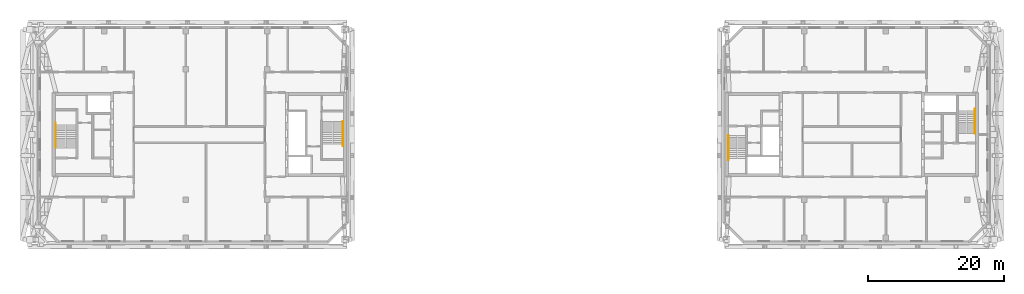
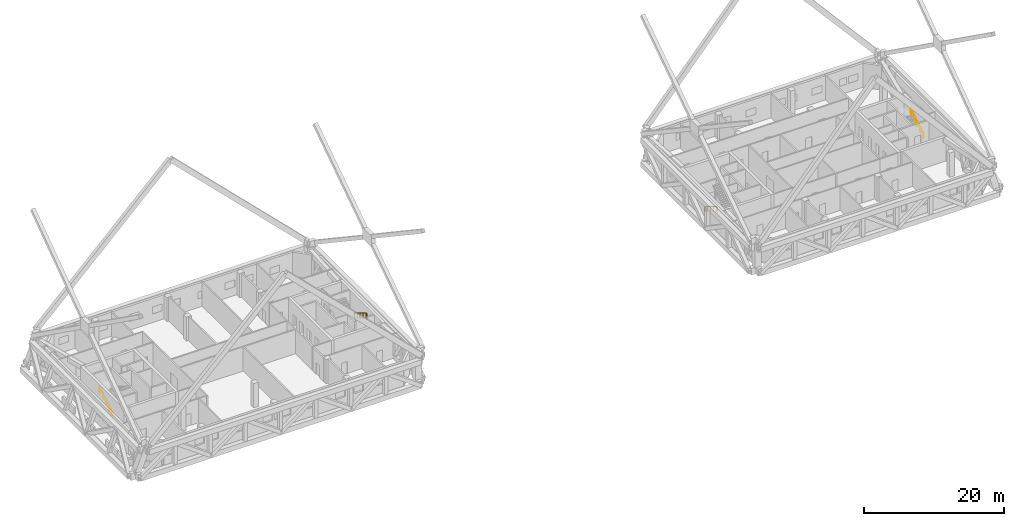
# One storey, part 20 of 20: 4 railings.
"""IFC4 building model written with IfcOpenShell, lengths in metres."""

from ifc_helpers import new_model, si_unit, direction, frame, origin, origin_2d, place, context, subcontext, project, spatial, circle, extrude, material, type_object, element, save


model = new_model("IFC4")

# Units and contexts
model_context = context("Model", 3, precision=1e-05, world=origin(), true_north=direction((0.0, 1.0)))
body_context = subcontext(model_context, "Body", "Model", "MODEL_VIEW")
ifc_project = project(units=[si_unit("LENGTHUNIT", "METRE"), si_unit("AREAUNIT", "SQUARE_METRE"), si_unit("VOLUMEUNIT", "CUBIC_METRE"), si_unit("PLANEANGLEUNIT", "RADIAN"), si_unit("MASSUNIT", "GRAM", prefix="KILO")], contexts=[model_context])

# Site, building, storey
site_placement = place(None, origin())
site = spatial("IfcSite", under=ifc_project, at=site_placement, CompositionType="ELEMENT")
building_placement = place(site_placement, origin())
building = spatial("IfcBuilding", under=site, at=building_placement, Name="Tuart Gate Housing", CompositionType="ELEMENT")
storey_placement = place(building_placement, frame((0.0, 0.0, 167.10009765625)))
storey = spatial("IfcBuildingStorey", under=building, at=storey_placement, Name="L47", CompositionType="ELEMENT", Elevation=167.10009765625)

# Railings
ifc_material = material(Name="Stainless steel", Category="steel")
railing_type = type_object("IfcRailingType", Name="Stair handrail 900", PredefinedType="HANDRAIL", material=ifc_material)
railing_1_placement = place(storey_placement, frame((75.1298828125, 71.949951171875, 0.173095703125)))
element("IfcRailing", 1, at=railing_1_placement, inside=storey, type_object=railing_type, Name="Stair handrail SA1.1", PredefinedType="HANDRAIL", context=body_context, shape_type="SweptSolid", body=[
    extrude(circle(Radius=0.02392578125, at=origin_2d()), frame((0.0, 0.0, 0.8759765625), z_axis=(0.0, -0.850606129759, 0.525803396734), x_axis=(1.0, 0.0, 0.0)), (0.0, 0.0, 1.0), 3.949951171875),
    extrude(circle(Radius=0.02392578125, at=origin_2d()), frame((0.0, -3.35986328125, 2.95263671875), z_axis=(0.0, -1.0, 0.0), x_axis=(1.0, 0.0, 0.0)), (0.0, 0.0, 1.0), 0.300048828125),
    extrude(circle(Radius=0.02099609375, at=origin_2d()), origin(), (0.0, 0.0, 1.0), 0.851806640625),
    extrude(circle(Radius=0.02099609375, at=origin_2d()), frame((0.0, -0.83984375, 0.519287109375)), (0.0, 0.0, 1.0), 0.851806640625),
    extrude(circle(Radius=0.02099609375, at=origin_2d()), frame((0.0, -1.679931640625, 1.03857421875)), (0.0, 0.0, 1.0), 0.851806640625),
    extrude(circle(Radius=0.02099609375, at=origin_2d()), frame((0.0, -2.52001953125, 1.5576171875)), (0.0, 0.0, 1.0), 0.851806640625),
    extrude(circle(Radius=0.02099609375, at=origin_2d()), frame((0.0, -3.35986328125, 2.076904296875)), (0.0, 0.0, 1.0), 0.851806640625),
    extrude(circle(Radius=0.02099609375, at=origin_2d()), frame((0.0, -3.659912109375, 2.076904296875)), (0.0, 0.0, 1.0), 0.851806640625),
])
railing_2_placement = place(storey_placement, frame((32.8701171875, 68.050048828125, 0.173095703125)))
element("IfcRailing", 2, at=railing_2_placement, inside=storey, type_object=railing_type, Name="Stair handrail SA2.1", PredefinedType="HANDRAIL", context=body_context, shape_type="SweptSolid", body=[
    extrude(circle(Radius=0.02392578125, at=origin_2d()), frame((0.0, 0.0, 0.8759765625), z_axis=(0.0, 0.850606129759, 0.525803396734), x_axis=(-1.0, 0.0, 0.0)), (0.0, 0.0, 1.0), 3.949951171875),
    extrude(circle(Radius=0.02392578125, at=origin_2d()), frame((0.0, 3.35986328125, 2.95263671875), z_axis=(0.0, 1.0, 0.0), x_axis=(-1.0, 0.0, 0.0)), (0.0, 0.0, 1.0), 0.300048828125),
    extrude(circle(Radius=0.02099609375, at=origin_2d()), origin(), (0.0, 0.0, 1.0), 0.851806640625),
    extrude(circle(Radius=0.02099609375, at=origin_2d()), frame((0.0, 0.83984375, 0.519287109375)), (0.0, 0.0, 1.0), 0.851806640625),
    extrude(circle(Radius=0.02099609375, at=origin_2d()), frame((0.0, 1.679931640625, 1.03857421875)), (0.0, 0.0, 1.0), 0.851806640625),
    extrude(circle(Radius=0.02099609375, at=origin_2d()), frame((0.0, 2.52001953125, 1.5576171875)), (0.0, 0.0, 1.0), 0.851806640625),
    extrude(circle(Radius=0.02099609375, at=origin_2d()), frame((0.0, 3.35986328125, 2.076904296875)), (0.0, 0.0, 1.0), 0.851806640625),
    extrude(circle(Radius=0.02099609375, at=origin_2d()), frame((0.0, 3.659912109375, 2.076904296875)), (0.0, 0.0, 1.0), 0.851806640625),
])
railing_3_placement = place(storey_placement, frame((131.8701171875, 69.875, 0.173095703125)))
element("IfcRailing", 3, at=railing_3_placement, inside=storey, type_object=railing_type, Name="Stair handrail SB1.1", PredefinedType="HANDRAIL", context=body_context, shape_type="SweptSolid", body=[
    extrude(circle(Radius=0.02392578125, at=origin_2d()), frame((0.0, 0.0, 0.8759765625), z_axis=(0.0, -0.850623216509, 0.525775754039), x_axis=(1.0, 0.0, 0.0)), (0.0, 0.0, 1.0), 3.9501953125),
    extrude(circle(Radius=0.02392578125, at=origin_2d()), frame((0.0, -3.360107421875, 2.95263671875), z_axis=(0.0, -1.0, 0.0), x_axis=(1.0, 0.0, 0.0)), (0.0, 0.0, 1.0), 0.2998046875),
    extrude(circle(Radius=0.02099609375, at=origin_2d()), origin(), (0.0, 0.0, 1.0), 0.851806640625),
    extrude(circle(Radius=0.02099609375, at=origin_2d()), frame((0.0, -0.840087890625, 0.519287109375)), (0.0, 0.0, 1.0), 0.851806640625),
    extrude(circle(Radius=0.02099609375, at=origin_2d()), frame((0.0, -1.68017578125, 1.03857421875)), (0.0, 0.0, 1.0), 0.851806640625),
    extrude(circle(Radius=0.02099609375, at=origin_2d()), frame((0.0, -2.52001953125, 1.5576171875)), (0.0, 0.0, 1.0), 0.851806640625),
    extrude(circle(Radius=0.02099609375, at=origin_2d()), frame((0.0, -3.360107421875, 2.076904296875)), (0.0, 0.0, 1.0), 0.851806640625),
    extrude(circle(Radius=0.02099609375, at=origin_2d()), frame((0.0, -3.659912109375, 2.076904296875)), (0.0, 0.0, 1.0), 0.851806640625),
])
railing_4_placement = place(storey_placement, frame((168.1298828125, 70.125, 0.173095703125)))
element("IfcRailing", 4, at=railing_4_placement, inside=storey, type_object=railing_type, Name="Stair handrail SB2.1", PredefinedType="HANDRAIL", context=body_context, shape_type="SweptSolid", body=[
    extrude(circle(Radius=0.02392578125, at=origin_2d()), frame((0.0, 0.0, 0.8759765625), z_axis=(0.0, 0.850623216509, 0.525775754039), x_axis=(-1.0, 0.0, 0.0)), (0.0, 0.0, 1.0), 3.9501953125),
    extrude(circle(Radius=0.02392578125, at=origin_2d()), frame((0.0, 3.360107421875, 2.95263671875), z_axis=(0.0, 1.0, 0.0), x_axis=(-1.0, 0.0, 0.0)), (0.0, 0.0, 1.0), 0.2998046875),
    extrude(circle(Radius=0.02099609375, at=origin_2d()), origin(), (0.0, 0.0, 1.0), 0.851806640625),
    extrude(circle(Radius=0.02099609375, at=origin_2d()), frame((0.0, 0.840087890625, 0.519287109375)), (0.0, 0.0, 1.0), 0.851806640625),
    extrude(circle(Radius=0.02099609375, at=origin_2d()), frame((0.0, 1.68017578125, 1.03857421875)), (0.0, 0.0, 1.0), 0.851806640625),
    extrude(circle(Radius=0.02099609375, at=origin_2d()), frame((0.0, 2.52001953125, 1.5576171875)), (0.0, 0.0, 1.0), 0.851806640625),
    extrude(circle(Radius=0.02099609375, at=origin_2d()), frame((0.0, 3.360107421875, 2.076904296875)), (0.0, 0.0, 1.0), 0.851806640625),
    extrude(circle(Radius=0.02099609375, at=origin_2d()), frame((0.0, 3.659912109375, 2.076904296875)), (0.0, 0.0, 1.0), 0.851806640625),
])

save(model, "model.ifc")
